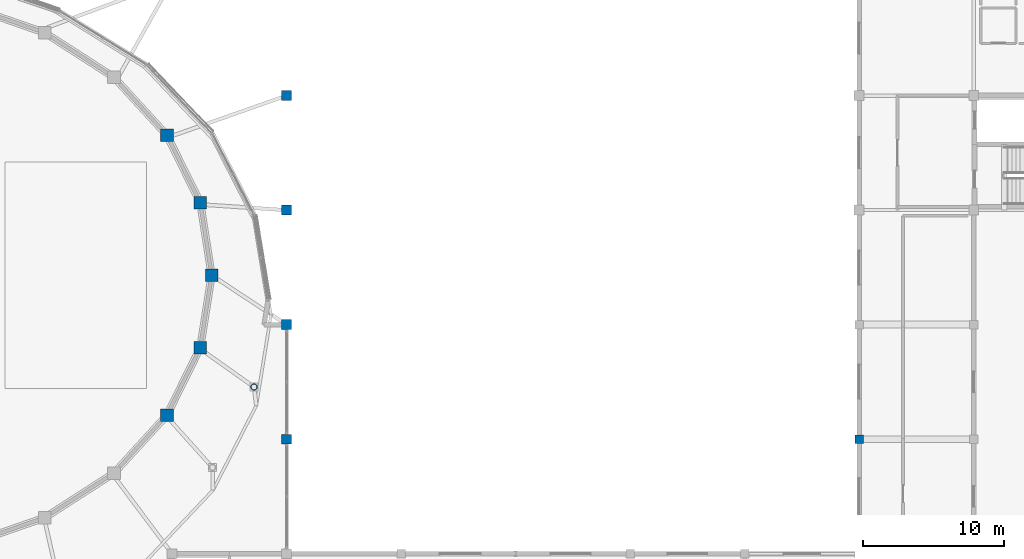
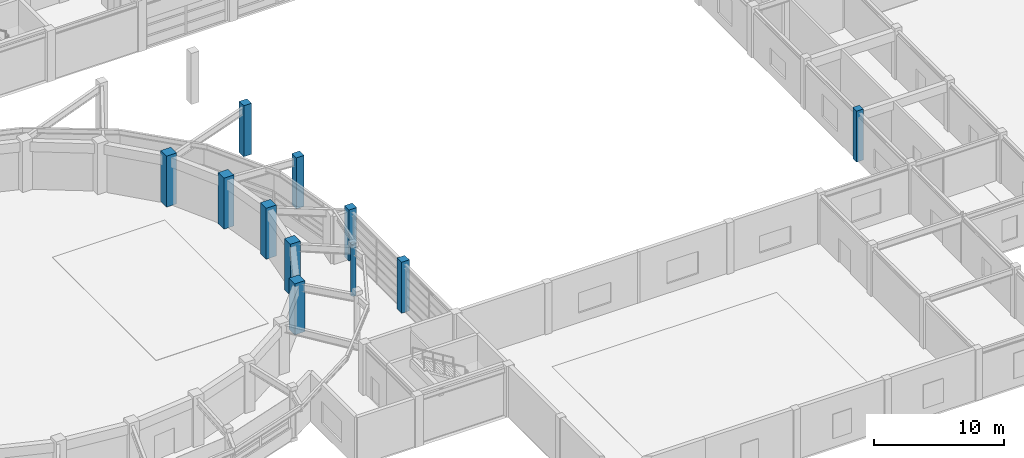
# One storey, part 5 of 56: 11 columns.
"""IFC4 building model written with IfcOpenShell, lengths in metres."""

import ifcopenshell
import ifcopenshell.guid

model = None  # the IFC model being written
_history = None  # IfcOwnerHistory: only IFC2X3 demands one
_inside = {}  # id of a spatial element -> (the spatial element, [elements in it])
_under = {}  # id of a project, library or spatial element -> (it, [spatial elements below it])
_declared = {}  # id of a project -> (the project, [libraries it declares])
_typed = {}  # id of a type object -> (the type object, [elements of that type])
_made_of = {}  # id of a material, layer set ... -> (it, [elements and type objects made of it])


def new_model(schema):
    """Start an empty IFC model of exactly this schema.

    Asked for "IFC4X3", IfcOpenShell would pick the latest addendum, in which some entities
    have other attributes; the version numbers below select the first issue.
    IFC2X3 requires an IfcOwnerHistory on every rooted entity: one is made here for all.
    """
    global model, _history
    if schema == "IFC4X3":
        model = ifcopenshell.file(schema_version=(4, 3, 0, 0))
    else:
        model = ifcopenshell.file(schema=schema)
    _inside.clear()
    _under.clear()
    _declared.clear()
    _typed.clear()
    _made_of.clear()
    _history = None
    if model.schema == "IFC2X3":
        org = make("IfcOrganization", Name="unknown")
        user = make(
            "IfcPersonAndOrganization",
            ThePerson=make("IfcPerson", FamilyName="unknown"),
            TheOrganization=org,
        )
        app = make(
            "IfcApplication",
            ApplicationDeveloper=org,
            Version="unknown",
            ApplicationFullName="unknown",
            ApplicationIdentifier="unknown",
        )
        _history = make(
            "IfcOwnerHistory",
            OwningUser=user,
            OwningApplication=app,
            ChangeAction="ADDED",
            CreationDate=0,
        )
    return model


def make(cls, **values):
    """One entity of the class cls with the attributes given. An attribute that is None is left unset."""
    return model.create_entity(
        cls, **{name: value for name, value in values.items() if value is not None}
    )


def rooted(cls, **values):
    """An entity with a GlobalId (a new one), such as an element, a storey or a relation."""
    return make(cls, GlobalId=ifcopenshell.guid.new(), OwnerHistory=_history, **values)


def si_unit(unit_type, name, prefix=None):
    """IfcSIUnit, for example si_unit("LENGTHUNIT", "METRE", prefix="MILLI")."""
    return make("IfcSIUnit", UnitType=unit_type, Prefix=prefix, Name=name)


def assignment(units):
    """IfcUnitAssignment: the units of a project."""
    return None if units is None else make("IfcUnitAssignment", Units=units)


def point(xyz):
    """IfcCartesianPoint."""
    return None if xyz is None else make("IfcCartesianPoint", Coordinates=xyz)


def direction(xyz):
    """IfcDirection."""
    return None if xyz is None else make("IfcDirection", DirectionRatios=xyz)


def frame(location, z_axis=None, x_axis=None):
    """IfcAxis2Placement3D, a coordinate frame: its origin and axes. An axis left out is left unset."""
    return make(
        "IfcAxis2Placement3D",
        Location=point(location),
        Axis=direction(z_axis),
        RefDirection=direction(x_axis),
    )


def frame_2d(location, x_axis=None):
    """IfcAxis2Placement2D, a coordinate frame in the plane: its origin and x axis."""
    return make(
        "IfcAxis2Placement2D", Location=point(location), RefDirection=direction(x_axis)
    )


def origin():
    """The frame at (0, 0, 0) with its axes left unset."""
    return frame((0.0, 0.0, 0.0))


def origin_2d():
    """The frame at (0, 0) in the plane with its x axis left unset."""
    return frame_2d((0.0, 0.0))


def place(relative_to, where):
    """IfcLocalPlacement: puts the frame where relative to a parent placement (None: the world)."""
    return make(
        "IfcLocalPlacement", PlacementRelTo=relative_to, RelativePlacement=where
    )


def context(
    kind, dimensions, precision=None, world=None, true_north=None, identifier=None
):
    """IfcGeometricRepresentationContext, for example the 3D "Model" context."""
    return make(
        "IfcGeometricRepresentationContext",
        ContextIdentifier=identifier,
        ContextType=kind,
        CoordinateSpaceDimension=dimensions,
        Precision=precision,
        WorldCoordinateSystem=world,
        TrueNorth=true_north,
    )


def subcontext(parent, identifier, kind, view, scale=None):
    """IfcGeometricRepresentationSubContext, for example "Body" below "Model"."""
    return make(
        "IfcGeometricRepresentationSubContext",
        ContextIdentifier=identifier,
        ContextType=kind,
        ParentContext=parent,
        TargetScale=scale,
        TargetView=view,
    )


def project(units=None, contexts=None):
    """IfcProject with its units and contexts."""
    return rooted(
        "IfcProject",
        Name="project",
        RepresentationContexts=contexts,
        UnitsInContext=assignment(units),
    )


def spatial(cls, under=None, at=None, **own):
    """A site, building, storey or space (cls), placed at a placement, below another one or the project."""
    s = rooted(cls, ObjectPlacement=at, **own)
    if under is not None:
        _under.setdefault(under.id(), (under, []))[1].append(s)
    return s


def profile(cls, at=None, kind="AREA", **sizes):
    """A parametric profile (cls). Its sizes go by their IFC names, for example OverallWidth=200.0."""
    return make(cls, ProfileType=kind, Position=at, **sizes)


def rectangle(**sizes):
    """IfcRectangleProfileDef."""
    return profile("IfcRectangleProfileDef", **sizes)


def hollow_circle(**sizes):
    """IfcCircleHollowProfileDef."""
    return profile("IfcCircleHollowProfileDef", **sizes)


def extrude(swept, where, along, depth):
    """IfcExtrudedAreaSolid: the profile swept, set in the frame where, extruded along a direction by depth."""
    return make(
        "IfcExtrudedAreaSolid",
        SweptArea=swept,
        Position=where,
        ExtrudedDirection=direction(along),
        Depth=depth,
    )


def shape(context_of_items, identifier, shape_type, items):
    """IfcShapeRepresentation: the items that make up one representation, for example the "Body"."""
    return make(
        "IfcShapeRepresentation",
        ContextOfItems=context_of_items,
        RepresentationIdentifier=identifier,
        RepresentationType=shape_type,
        Items=items,
    )


def material(Name=None, Category=None):
    """IfcMaterial."""
    return make("IfcMaterial", Name=Name, Category=Category)


def material_profile(
    of_material, cross_section, Name=None, Category=None, Priority=None
):
    """IfcMaterialProfile: a cross section and its material."""
    return make(
        "IfcMaterialProfile",
        Name=Name,
        Material=of_material,
        Profile=cross_section,
        Priority=Priority,
        Category=Category,
    )


def profile_set(profiles, Name=None, composite=None):
    """IfcMaterialProfileSet."""
    return make(
        "IfcMaterialProfileSet",
        Name=Name,
        MaterialProfiles=profiles,
        CompositeProfile=composite,
    )


def made_of(thing, what):
    """Note that an element or type object is made of a material, layer set ...; save() writes the relation."""
    if what is not None:
        _made_of.setdefault(what.id(), (what, []))[1].append(thing)
    return thing


def type_object(cls, material=None, **own):
    """A type object (cls), such as IfcWallType, which elements share."""
    return made_of(rooted(cls, **own), material)


def element(
    cls,
    number,
    at=None,
    inside=None,
    cuts=None,
    type_object=None,
    material=None,
    context=None,
    identifier="Body",
    shape_type=None,
    held_by="IfcProductDefinitionShape",
    body=None,
    shapes=None,
    **own,
):
    """One element of the class cls, such as IfcWall. Its Tag is "e" and its number.

    at: its placement. inside: the storey or other place that contains it. cuts: it is an
    opening in that element (IfcRelVoidsElement). A single representation is given by context,
    identifier, shape_type and body (its items); several are given by shapes. held_by: the class
    of the entity that holds the representations. save() writes the other relations.
    """
    e = rooted(cls, Tag="e%d" % number, ObjectPlacement=at, **own)
    if body is not None:
        shapes = [shape(context, identifier, shape_type, body)]
    if shapes is not None:
        e.Representation = make(held_by, Representations=shapes)
    if inside is not None:
        _inside.setdefault(inside.id(), (inside, []))[1].append(e)
    if cuts is not None:
        rooted(
            "IfcRelVoidsElement", RelatingBuildingElement=cuts, RelatedOpeningElement=e
        )
    if type_object is not None:
        _typed.setdefault(type_object.id(), (type_object, []))[1].append(e)
    return made_of(e, material)


def aggregate(whole, parts):
    """IfcRelAggregates: a whole, such as a stair, and the parts it consists of."""
    return rooted("IfcRelAggregates", RelatingObject=whole, RelatedObjects=parts)


def save(model, path):
    """Write the relations noted so far, then the file.

    IfcRelAggregates (storeys below a building ...), IfcRelContainedInSpatialStructure (elements
    in a storey), IfcRelDefinesByType, IfcRelAssociatesMaterial and IfcRelDeclares: one each for
    every whole, place, type object, material and project.
    """
    for whole, parts in _under.values():
        aggregate(whole, parts)
    for where, things in _inside.values():
        rooted(
            "IfcRelContainedInSpatialStructure",
            RelatedElements=things,
            RelatingStructure=where,
        )
    for kind, things in _typed.values():
        rooted("IfcRelDefinesByType", RelatedObjects=things, RelatingType=kind)
    for what, things in _made_of.values():
        rooted("IfcRelAssociatesMaterial", RelatedObjects=things, RelatingMaterial=what)
    for by, libraries in _declared.values():
        rooted("IfcRelDeclares", RelatingContext=by, RelatedDefinitions=libraries)
    model.write(path)


model = new_model("IFC4")

# Units and contexts
model_context = context("Model", 3, precision=1e-05, world=origin(), true_north=direction((0.0, 1.0)))
body_context = subcontext(model_context, "Body", "Model", "MODEL_VIEW")
ifc_project = project(units=[si_unit("LENGTHUNIT", "METRE"), si_unit("AREAUNIT", "SQUARE_METRE"), si_unit("VOLUMEUNIT", "CUBIC_METRE"), si_unit("PLANEANGLEUNIT", "RADIAN"), si_unit("MASSUNIT", "GRAM", prefix="KILO")], contexts=[model_context])

# Site, building, storey
site_placement = place(None, origin())
site = spatial("IfcSite", under=ifc_project, at=site_placement, CompositionType="ELEMENT")
building_placement = place(site_placement, origin())
building = spatial("IfcBuilding", under=site, at=building_placement, Name="Parian Resonance Hall", CompositionType="ELEMENT")
storey_placement = place(building_placement, frame((0.0, 0.0, 5.39990234375)))
storey = spatial("IfcBuildingStorey", under=building, at=storey_placement, Name="L01", CompositionType="ELEMENT", Elevation=5.39990234375)

# Columns
ifc_material_1 = material(Name="Hollow structural steel S355", Category="steel")
ifc_material_profile_1 = material_profile(ifc_material_1, hollow_circle(Radius=0.228515625, WallThickness=0.02001953125, at=origin_2d()), Name="CHS457x20")
ifc_profile_set_1 = profile_set([ifc_material_profile_1], Name="Hollow structural steel S355")
column_type_1 = type_object("IfcColumnType", Name="COL-CHS457", PredefinedType="COLUMN", material=ifc_profile_set_1)
column_1_placement = place(storey_placement, frame((70.59814453125, 36.091796875, 0.0), z_axis=(0.0, 0.0, 1.0), x_axis=(1.0, 0.0, 0.0)))
element("IfcColumn", 1, at=column_1_placement, inside=storey, type_object=column_type_1, Name="Column RNG-24 L01", PredefinedType="COLUMN", context=body_context, shape_type="SweptSolid", body=[
    extrude(hollow_circle(Radius=0.228515625, WallThickness=0.02001953125, at=origin_2d()), origin(), (0.0, 0.0, 1.0), 4.800048828125),
])
ifc_material_2 = material(Name="Concrete C40/50", Category="concrete")
ifc_material_profile_2 = material_profile(ifc_material_2, rectangle(XDim=0.60009765625, YDim=0.60009765625, at=origin_2d()), Name="RC-COL-600x600")
ifc_profile_set_2 = profile_set([ifc_material_profile_2], Name="Concrete C40/50")
column_type_2 = type_object("IfcColumnType", Name="COL-RC600", PredefinedType="COLUMN", material=ifc_profile_set_2)
column_2_placement = place(storey_placement, frame((113.39990234375, 32.39990234375, 0.0), z_axis=(0.0, 0.0, 1.0), x_axis=(1.0, 0.0, 0.0)))
element("IfcColumn", 2, at=column_2_placement, inside=storey, type_object=column_type_2, Name="Column G15-05 L01", PredefinedType="COLUMN", context=body_context, shape_type="SweptSolid", body=[
    extrude(rectangle(XDim=0.60009765625, YDim=0.60009765625, at=origin_2d()), origin(), (0.0, 0.0, 1.0), 4.800048828125),
])
ifc_material_3 = material(Name="Concrete C40/50", Category="concrete")
ifc_material_profile_3 = material_profile(ifc_material_3, rectangle(XDim=0.699951171875, YDim=0.699951171875, at=origin_2d()), Name="RC-COL-700x700")
ifc_profile_set_3 = profile_set([ifc_material_profile_3], Name="Concrete C40/50")
column_type_3 = type_object("IfcColumnType", Name="COL-RC700", PredefinedType="COLUMN", material=ifc_profile_set_3)
for number, where, z_axis, x_axis, name in (
    (3, (72.89990234375, 32.39990234375, 0.0), (0.0, 0.0, 1.0), (1.0, 0.0, 0.0), "Column G10-05 L01"),
    (4, (72.89990234375, 40.5, 0.0), (0.0, 0.0, 1.0), (1.0, 0.0, 0.0), "Column G10-06 L01"),
    (5, (72.89990234375, 48.60009765625, 0.0), (0.0, 0.0, 1.0), (1.0, 0.0, 0.0), "Column G10-07 L01"),
    (6, (72.89990234375, 56.699951171875, 0.0), (0.0, 0.0, 1.0), (1.0, 0.0, 0.0), "Column G10-08 L01"),
):
    element("IfcColumn", number, at=place(storey_placement, frame(where, z_axis=z_axis, x_axis=x_axis)), inside=storey, type_object=column_type_3, Name=name, PredefinedType="COLUMN", context=body_context, shape_type="SweptSolid", body=[
        extrude(rectangle(XDim=0.699951171875, YDim=0.699951171875, at=origin_2d()), origin(), (0.0, 0.0, 1.0), 4.800048828125),
    ])
ifc_material_4 = material(Name="Concrete C40/50", Category="concrete")
ifc_material_profile_4 = material_profile(ifc_material_4, rectangle(XDim=0.89990234375, YDim=0.89990234375, at=origin_2d()), Name="RC-COL-900x900")
ifc_profile_set_4 = profile_set([ifc_material_profile_4], Name="Concrete C40/50")
column_type_4 = type_object("IfcColumnType", Name="COL-RC900", PredefinedType="COLUMN", material=ifc_profile_set_4)
for number, where, z_axis, x_axis, name in (
    (7, (67.60009765625, 44.0, 0.0), (0.0, 0.0, 1.0), (1.0, 0.0, 0.0), "Column DRM-01 L01"),
    (8, (66.7958984375, 49.12451171875, 0.0), (0.0, 0.0, 1.0), (1.0, 0.0, 0.0), "Column DRM-02 L01"),
    (9, (64.438232421875, 53.89990234375, 0.0), (0.0, 0.0, 1.0), (1.0, 0.0, 0.0), "Column DRM-03 L01"),
    (10, (64.438232421875, 34.10009765625, 0.0), (0.0, 0.0, 1.0), (1.0, 0.0, 0.0), "Column DRM-23 L01"),
    (11, (66.7958984375, 38.87548828125, 0.0), (0.0, 0.0, 1.0), (1.0, 0.0, 0.0), "Column DRM-24 L01"),
):
    element("IfcColumn", number, at=place(storey_placement, frame(where, z_axis=z_axis, x_axis=x_axis)), inside=storey, type_object=column_type_4, Name=name, PredefinedType="COLUMN", context=body_context, shape_type="SweptSolid", body=[
        extrude(rectangle(XDim=0.89990234375, YDim=0.89990234375, at=origin_2d()), origin(), (0.0, 0.0, 1.0), 4.800048828125),
    ])

save(model, "model.ifc")
